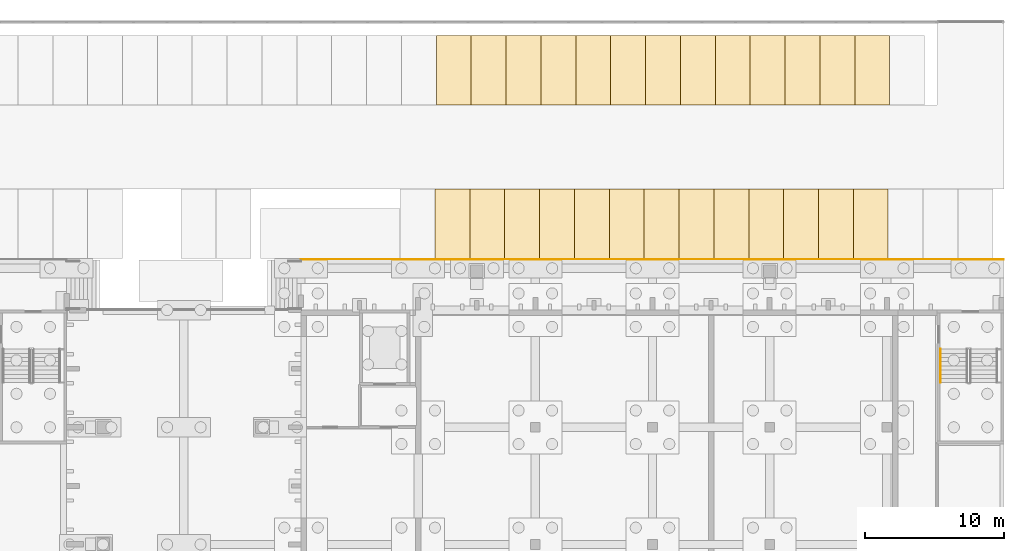
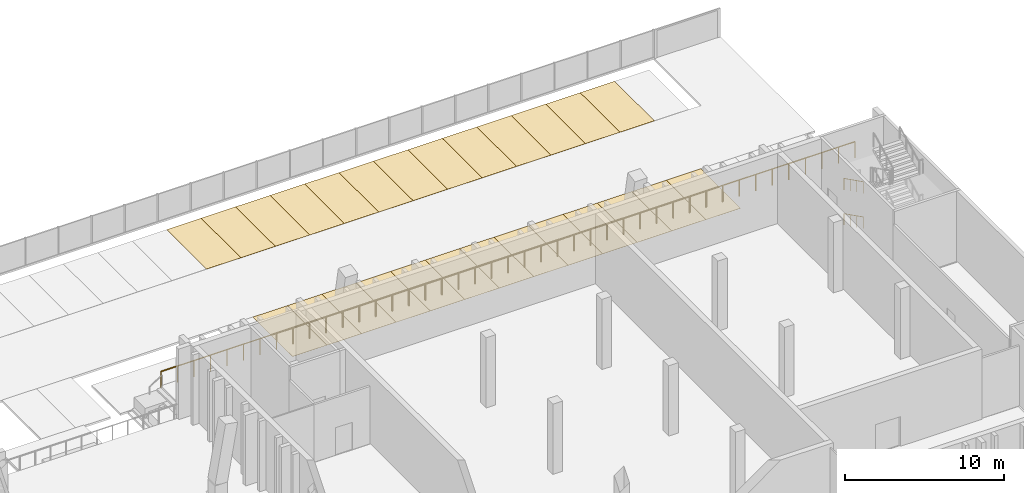
# One storey, part 127 of 129: 26 coverings, 3 railings.
"""IFC4 building model written with IfcOpenShell, lengths in metres."""

from ifc_helpers import new_model, si_unit, direction, frame, origin, origin_2d, place, context, subcontext, project, spatial, polyline, circle, outline, extrude, material, layer, layer_set, type_object, element, save


model = new_model("IFC4")

# Units and contexts
model_context = context("Model", 3, precision=1e-05, world=origin(), true_north=direction((0.0, 1.0)))
body_context = subcontext(model_context, "Body", "Model", "MODEL_VIEW")
ifc_project = project(units=[si_unit("LENGTHUNIT", "METRE"), si_unit("AREAUNIT", "SQUARE_METRE"), si_unit("VOLUMEUNIT", "CUBIC_METRE"), si_unit("PLANEANGLEUNIT", "RADIAN"), si_unit("MASSUNIT", "GRAM", prefix="KILO")], contexts=[model_context])

# Site, building, storey
site_placement = place(None, origin())
site = spatial("IfcSite", under=ifc_project, at=site_placement, CompositionType="ELEMENT")
building_placement = place(site_placement, origin())
building = spatial("IfcBuilding", under=site, at=building_placement, Name="Kiln Court Media Centre", CompositionType="ELEMENT")
storey_placement = place(building_placement, origin())
storey = spatial("IfcBuildingStorey", under=building, at=storey_placement, Name="L00", CompositionType="ELEMENT", Elevation=0.0)

# Railings
ifc_material_1 = material(Name="Steel S275", Category="steel")
railing_type_1 = type_object("IfcRailingType", Name="Steel S275 stair handrail 900", PredefinedType="HANDRAIL", material=ifc_material_1)
railing_1_placement = place(storey_placement, frame((163.449951171875, 64.39990234375, 0.14990234375)))
element("IfcRailing", 1, at=railing_1_placement, inside=storey, type_object=railing_type_1, Name="ST-15 stair handrail", PredefinedType="HANDRAIL", context=body_context, shape_type="SweptSolid", body=[
    extrude(circle(Radius=0.02392578125, at=origin_2d()), frame((0.0, 0.0, 0.8759765625), z_axis=(0.0, -0.894390793703, 0.44728638269), x_axis=(1.0, 0.0, 0.0)), (0.0, 0.0, 1.0), 2.683349609375),
    extrude(circle(Radius=0.02099609375, at=origin_2d()), origin(), (0.0, 0.0, 1.0), 0.851806640625),
    extrude(circle(Radius=0.02099609375, at=origin_2d()), frame((0.0, -0.800048828125, 0.400146484375)), (0.0, 0.0, 1.0), 0.851806640625),
    extrude(circle(Radius=0.02099609375, at=origin_2d()), frame((0.0, -1.599853515625, 0.800048828125)), (0.0, 0.0, 1.0), 0.851806640625),
    extrude(circle(Radius=0.02099609375, at=origin_2d()), frame((0.0, -2.39990234375, 1.2001953125)), (0.0, 0.0, 1.0), 0.851806640625),
])
railing_2_placement = place(storey_placement, frame((163.449951171875, 64.39990234375, 2.85009765625)))
element("IfcRailing", 2, at=railing_2_placement, inside=storey, type_object=railing_type_1, Name="ST-15 stair handrail", PredefinedType="HANDRAIL", context=body_context, shape_type="SweptSolid", body=[
    extrude(circle(Radius=0.02392578125, at=origin_2d()), frame((0.0, 0.0, 0.8759765625), z_axis=(0.0, -0.894427191, 0.4472135955), x_axis=(1.0, 0.0, 0.0)), (0.0, 0.0, 1.0), 2.68310546875),
    extrude(circle(Radius=0.02099609375, at=origin_2d()), origin(), (0.0, 0.0, 1.0), 0.851806640625),
    extrude(circle(Radius=0.02099609375, at=origin_2d()), frame((0.0, -0.800048828125, 0.39990234375)), (0.0, 0.0, 1.0), 0.851806640625),
    extrude(circle(Radius=0.02099609375, at=origin_2d()), frame((0.0, -1.599853515625, 0.800048828125)), (0.0, 0.0, 1.0), 0.851806640625),
    extrude(circle(Radius=0.02099609375, at=origin_2d()), frame((0.0, -2.39990234375, 1.199951171875)), (0.0, 0.0, 1.0), 0.851806640625),
])
ifc_material_2 = material(Name="Steel ASTM A572 Gr 50", Category="steel")
railing_type_2 = type_object("IfcRailingType", Name="Steel guard rail 1100", PredefinedType="GUARDRAIL", material=ifc_material_2)
railing_3_placement = place(storey_placement, frame((117.60009765625, 70.821044921875, -0.14990234375)))
element("IfcRailing", 3, at=railing_3_placement, inside=storey, type_object=railing_type_2, Name="Deck edge guard 7", PredefinedType="GUARDRAIL", context=body_context, shape_type="SweptSolid", body=[
    extrude(circle(Radius=0.02392578125, at=origin_2d()), frame((0.0, 0.0, 1.22607421875), z_axis=(1.0, 0.0, 0.0), x_axis=(0.0, 1.0, 0.0)), (0.0, 0.0, 1.0), 50.349853515625),
    extrude(circle(Radius=0.02099609375, at=origin_2d()), origin(), (0.0, 0.0, 1.0), 1.201904296875),
    extrude(circle(Radius=0.02099609375, at=origin_2d()), frame((1.19873046875, 0.0, 0.0)), (0.0, 0.0, 1.0), 1.201904296875),
    extrude(circle(Radius=0.02099609375, at=origin_2d()), frame((2.397705078125, 0.0, 0.0)), (0.0, 0.0, 1.0), 1.201904296875),
    extrude(circle(Radius=0.02099609375, at=origin_2d()), frame((3.596435546875, 0.0, 0.0)), (0.0, 0.0, 1.0), 1.201904296875),
    extrude(circle(Radius=0.02099609375, at=origin_2d()), frame((4.795166015625, 0.0, 0.0)), (0.0, 0.0, 1.0), 1.201904296875),
    extrude(circle(Radius=0.02099609375, at=origin_2d()), frame((5.994140625, 0.0, 0.0)), (0.0, 0.0, 1.0), 1.201904296875),
    extrude(circle(Radius=0.02099609375, at=origin_2d()), frame((7.19287109375, 0.0, 0.0)), (0.0, 0.0, 1.0), 1.201904296875),
    extrude(circle(Radius=0.02099609375, at=origin_2d()), frame((8.3916015625, 0.0, 0.0)), (0.0, 0.0, 1.0), 1.201904296875),
    extrude(circle(Radius=0.02099609375, at=origin_2d()), frame((9.59033203125, 0.0, 0.0)), (0.0, 0.0, 1.0), 1.201904296875),
    extrude(circle(Radius=0.02099609375, at=origin_2d()), frame((10.789306640625, 0.0, 0.0)), (0.0, 0.0, 1.0), 1.201904296875),
    extrude(circle(Radius=0.02099609375, at=origin_2d()), frame((11.988037109375, 0.0, 0.0)), (0.0, 0.0, 1.0), 1.201904296875),
    extrude(circle(Radius=0.02099609375, at=origin_2d()), frame((13.186767578125, 0.0, 0.0)), (0.0, 0.0, 1.0), 1.201904296875),
    extrude(circle(Radius=0.02099609375, at=origin_2d()), frame((14.3857421875, 0.0, 0.0)), (0.0, 0.0, 1.0), 1.201904296875),
    extrude(circle(Radius=0.02099609375, at=origin_2d()), frame((15.58447265625, 0.0, 0.0)), (0.0, 0.0, 1.0), 1.201904296875),
    extrude(circle(Radius=0.02099609375, at=origin_2d()), frame((16.783203125, 0.0, 0.0)), (0.0, 0.0, 1.0), 1.201904296875),
    extrude(circle(Radius=0.02099609375, at=origin_2d()), frame((17.982177734375, 0.0, 0.0)), (0.0, 0.0, 1.0), 1.201904296875),
    extrude(circle(Radius=0.02099609375, at=origin_2d()), frame((19.180908203125, 0.0, 0.0)), (0.0, 0.0, 1.0), 1.201904296875),
    extrude(circle(Radius=0.02099609375, at=origin_2d()), frame((20.379638671875, 0.0, 0.0)), (0.0, 0.0, 1.0), 1.201904296875),
    extrude(circle(Radius=0.02099609375, at=origin_2d()), frame((21.57861328125, 0.0, 0.0)), (0.0, 0.0, 1.0), 1.201904296875),
    extrude(circle(Radius=0.02099609375, at=origin_2d()), frame((22.77734375, 0.0, 0.0)), (0.0, 0.0, 1.0), 1.201904296875),
    extrude(circle(Radius=0.02099609375, at=origin_2d()), frame((23.97607421875, 0.0, 0.0)), (0.0, 0.0, 1.0), 1.201904296875),
    extrude(circle(Radius=0.02099609375, at=origin_2d()), frame((25.1748046875, 0.0, 0.0)), (0.0, 0.0, 1.0), 1.201904296875),
    extrude(circle(Radius=0.02099609375, at=origin_2d()), frame((26.373779296875, 0.0, 0.0)), (0.0, 0.0, 1.0), 1.201904296875),
    extrude(circle(Radius=0.02099609375, at=origin_2d()), frame((27.572509765625, 0.0, 0.0)), (0.0, 0.0, 1.0), 1.201904296875),
    extrude(circle(Radius=0.02099609375, at=origin_2d()), frame((28.771240234375, 0.0, 0.0)), (0.0, 0.0, 1.0), 1.201904296875),
    extrude(circle(Radius=0.02099609375, at=origin_2d()), frame((29.97021484375, 0.0, 0.0)), (0.0, 0.0, 1.0), 1.201904296875),
    extrude(circle(Radius=0.02099609375, at=origin_2d()), frame((31.1689453125, 0.0, 0.0)), (0.0, 0.0, 1.0), 1.201904296875),
    extrude(circle(Radius=0.02099609375, at=origin_2d()), frame((32.36767578125, 0.0, 0.0)), (0.0, 0.0, 1.0), 1.201904296875),
    extrude(circle(Radius=0.02099609375, at=origin_2d()), frame((33.566650390625, 0.0, 0.0)), (0.0, 0.0, 1.0), 1.201904296875),
    extrude(circle(Radius=0.02099609375, at=origin_2d()), frame((34.765380859375, 0.0, 0.0)), (0.0, 0.0, 1.0), 1.201904296875),
    extrude(circle(Radius=0.02099609375, at=origin_2d()), frame((35.964111328125, 0.0, 0.0)), (0.0, 0.0, 1.0), 1.201904296875),
    extrude(circle(Radius=0.02099609375, at=origin_2d()), frame((37.1630859375, 0.0, 0.0)), (0.0, 0.0, 1.0), 1.201904296875),
    extrude(circle(Radius=0.02099609375, at=origin_2d()), frame((38.36181640625, 0.0, 0.0)), (0.0, 0.0, 1.0), 1.201904296875),
    extrude(circle(Radius=0.02099609375, at=origin_2d()), frame((39.560546875, 0.0, 0.0)), (0.0, 0.0, 1.0), 1.201904296875),
    extrude(circle(Radius=0.02099609375, at=origin_2d()), frame((40.759521484375, 0.0, 0.0)), (0.0, 0.0, 1.0), 1.201904296875),
    extrude(circle(Radius=0.02099609375, at=origin_2d()), frame((41.958251953125, 0.0, 0.0)), (0.0, 0.0, 1.0), 1.201904296875),
    extrude(circle(Radius=0.02099609375, at=origin_2d()), frame((43.156982421875, 0.0, 0.0)), (0.0, 0.0, 1.0), 1.201904296875),
    extrude(circle(Radius=0.02099609375, at=origin_2d()), frame((44.355712890625, 0.0, 0.0)), (0.0, 0.0, 1.0), 1.201904296875),
    extrude(circle(Radius=0.02099609375, at=origin_2d()), frame((45.5546875, 0.0, 0.0)), (0.0, 0.0, 1.0), 1.201904296875),
    extrude(circle(Radius=0.02099609375, at=origin_2d()), frame((46.75341796875, 0.0, 0.0)), (0.0, 0.0, 1.0), 1.201904296875),
    extrude(circle(Radius=0.02099609375, at=origin_2d()), frame((47.9521484375, 0.0, 0.0)), (0.0, 0.0, 1.0), 1.201904296875),
    extrude(circle(Radius=0.02099609375, at=origin_2d()), frame((49.151123046875, 0.0, 0.0)), (0.0, 0.0, 1.0), 1.201904296875),
    extrude(circle(Radius=0.02099609375, at=origin_2d()), frame((50.349853515625, 0.0, 0.0)), (0.0, 0.0, 1.0), 1.201904296875),
])

# Coverings
ifc_material_3 = material(Name="Thermoplastic road marking", Category="coating")
ifc_layer = layer(ifc_material_3, 0.010009765625)
ifc_layer_set = layer_set([ifc_layer], Name="Thermoplastic standard car bay marking 2500x5000")
covering_type = type_object("IfcCoveringType", Name="Thermoplastic standard car bay marking 2500x5000", PredefinedType="FLOORING", material=ifc_layer_set)
covering_1_placement = place(storey_placement, frame((0.0, 0.0, -1.199951171875)))
element("IfcCovering", 4, at=covering_1_placement, inside=storey, type_object=covering_type, Name="Car bay P050", PredefinedType="FLOORING", context=body_context, shape_type="SweptSolid", body=[
    extrude(outline(polyline([(127.300048828125, 81.89990234375), (129.800048828125, 81.89990234375), (129.800048828125, 86.89990234375), (127.300048828125, 86.89990234375), (127.300048828125, 81.89990234375)])), origin(), (0.0, 0.0, 1.0), 0.010009765625),
])
covering_2_placement = place(storey_placement, frame((0.0, 0.0, -1.199951171875)))
element("IfcCovering", 5, at=covering_2_placement, inside=storey, type_object=covering_type, Name="Car bay P051", PredefinedType="FLOORING", context=body_context, shape_type="SweptSolid", body=[
    extrude(outline(polyline([(129.800048828125, 81.89990234375), (132.300048828125, 81.89990234375), (132.300048828125, 86.89990234375), (129.800048828125, 86.89990234375), (129.800048828125, 81.89990234375)])), origin(), (0.0, 0.0, 1.0), 0.010009765625),
])
covering_3_placement = place(storey_placement, frame((0.0, 0.0, -1.199951171875)))
element("IfcCovering", 6, at=covering_3_placement, inside=storey, type_object=covering_type, Name="Car bay P052", PredefinedType="FLOORING", context=body_context, shape_type="SweptSolid", body=[
    extrude(outline(polyline([(132.300048828125, 81.89990234375), (134.800048828125, 81.89990234375), (134.800048828125, 86.89990234375), (132.300048828125, 86.89990234375), (132.300048828125, 81.89990234375)])), origin(), (0.0, 0.0, 1.0), 0.010009765625),
])
covering_4_placement = place(storey_placement, frame((0.0, 0.0, -1.199951171875)))
element("IfcCovering", 7, at=covering_4_placement, inside=storey, type_object=covering_type, Name="Car bay P053", PredefinedType="FLOORING", context=body_context, shape_type="SweptSolid", body=[
    extrude(outline(polyline([(134.800048828125, 81.89990234375), (137.300048828125, 81.89990234375), (137.300048828125, 86.89990234375), (134.800048828125, 86.89990234375), (134.800048828125, 81.89990234375)])), origin(), (0.0, 0.0, 1.0), 0.010009765625),
])
covering_5_placement = place(storey_placement, frame((0.0, 0.0, -1.199951171875)))
element("IfcCovering", 8, at=covering_5_placement, inside=storey, type_object=covering_type, Name="Car bay P054", PredefinedType="FLOORING", context=body_context, shape_type="SweptSolid", body=[
    extrude(outline(polyline([(137.300048828125, 81.89990234375), (139.800048828125, 81.89990234375), (139.800048828125, 86.89990234375), (137.300048828125, 86.89990234375), (137.300048828125, 81.89990234375)])), origin(), (0.0, 0.0, 1.0), 0.010009765625),
])
covering_6_placement = place(storey_placement, frame((0.0, 0.0, -1.199951171875)))
element("IfcCovering", 9, at=covering_6_placement, inside=storey, type_object=covering_type, Name="Car bay P055", PredefinedType="FLOORING", context=body_context, shape_type="SweptSolid", body=[
    extrude(outline(polyline([(139.800048828125, 81.89990234375), (142.300048828125, 81.89990234375), (142.300048828125, 86.89990234375), (139.800048828125, 86.89990234375), (139.800048828125, 81.89990234375)])), origin(), (0.0, 0.0, 1.0), 0.010009765625),
])
covering_7_placement = place(storey_placement, frame((0.0, 0.0, -1.199951171875)))
element("IfcCovering", 10, at=covering_7_placement, inside=storey, type_object=covering_type, Name="Car bay P056", PredefinedType="FLOORING", context=body_context, shape_type="SweptSolid", body=[
    extrude(outline(polyline([(142.300048828125, 81.89990234375), (144.800048828125, 81.89990234375), (144.800048828125, 86.89990234375), (142.300048828125, 86.89990234375), (142.300048828125, 81.89990234375)])), origin(), (0.0, 0.0, 1.0), 0.010009765625),
])
covering_8_placement = place(storey_placement, frame((0.0, 0.0, -1.199951171875)))
element("IfcCovering", 11, at=covering_8_placement, inside=storey, type_object=covering_type, Name="Car bay P057", PredefinedType="FLOORING", context=body_context, shape_type="SweptSolid", body=[
    extrude(outline(polyline([(144.800048828125, 81.89990234375), (147.300048828125, 81.89990234375), (147.300048828125, 86.89990234375), (144.800048828125, 86.89990234375), (144.800048828125, 81.89990234375)])), origin(), (0.0, 0.0, 1.0), 0.010009765625),
])
covering_9_placement = place(storey_placement, frame((0.0, 0.0, -1.199951171875)))
element("IfcCovering", 12, at=covering_9_placement, inside=storey, type_object=covering_type, Name="Car bay P058", PredefinedType="FLOORING", context=body_context, shape_type="SweptSolid", body=[
    extrude(outline(polyline([(147.300048828125, 81.89990234375), (149.800048828125, 81.89990234375), (149.800048828125, 86.89990234375), (147.300048828125, 86.89990234375), (147.300048828125, 81.89990234375)])), origin(), (0.0, 0.0, 1.0), 0.010009765625),
])
covering_10_placement = place(storey_placement, frame((0.0, 0.0, -1.199951171875)))
element("IfcCovering", 13, at=covering_10_placement, inside=storey, type_object=covering_type, Name="Car bay P059", PredefinedType="FLOORING", context=body_context, shape_type="SweptSolid", body=[
    extrude(outline(polyline([(149.800048828125, 81.89990234375), (152.300048828125, 81.89990234375), (152.300048828125, 86.89990234375), (149.800048828125, 86.89990234375), (149.800048828125, 81.89990234375)])), origin(), (0.0, 0.0, 1.0), 0.010009765625),
])
covering_11_placement = place(storey_placement, frame((0.0, 0.0, -1.199951171875)))
element("IfcCovering", 14, at=covering_11_placement, inside=storey, type_object=covering_type, Name="Car bay P060", PredefinedType="FLOORING", context=body_context, shape_type="SweptSolid", body=[
    extrude(outline(polyline([(152.300048828125, 81.89990234375), (154.800048828125, 81.89990234375), (154.800048828125, 86.89990234375), (152.300048828125, 86.89990234375), (152.300048828125, 81.89990234375)])), origin(), (0.0, 0.0, 1.0), 0.010009765625),
])
covering_12_placement = place(storey_placement, frame((0.0, 0.0, -1.199951171875)))
element("IfcCovering", 15, at=covering_12_placement, inside=storey, type_object=covering_type, Name="Car bay P061", PredefinedType="FLOORING", context=body_context, shape_type="SweptSolid", body=[
    extrude(outline(polyline([(154.800048828125, 81.89990234375), (157.300048828125, 81.89990234375), (157.300048828125, 86.89990234375), (154.800048828125, 86.89990234375), (154.800048828125, 81.89990234375)])), origin(), (0.0, 0.0, 1.0), 0.010009765625),
])
covering_13_placement = place(storey_placement, frame((0.0, 0.0, -1.199951171875)))
element("IfcCovering", 16, at=covering_13_placement, inside=storey, type_object=covering_type, Name="Car bay P062", PredefinedType="FLOORING", context=body_context, shape_type="SweptSolid", body=[
    extrude(outline(polyline([(157.300048828125, 81.89990234375), (159.800048828125, 81.89990234375), (159.800048828125, 86.89990234375), (157.300048828125, 86.89990234375), (157.300048828125, 81.89990234375)])), origin(), (0.0, 0.0, 1.0), 0.010009765625),
])
covering_14_placement = place(storey_placement, frame((0.0, 0.0, -1.199951171875)))
element("IfcCovering", 17, at=covering_14_placement, inside=storey, type_object=covering_type, Name="Car bay P083", PredefinedType="FLOORING", context=body_context, shape_type="SweptSolid", body=[
    extrude(outline(polyline([(127.199951171875, 70.89990234375), (129.699951171875, 70.89990234375), (129.699951171875, 75.89990234375), (127.199951171875, 75.89990234375), (127.199951171875, 70.89990234375)])), origin(), (0.0, 0.0, 1.0), 0.010009765625),
])
covering_15_placement = place(storey_placement, frame((0.0, 0.0, -1.199951171875)))
element("IfcCovering", 18, at=covering_15_placement, inside=storey, type_object=covering_type, Name="Car bay P084", PredefinedType="FLOORING", context=body_context, shape_type="SweptSolid", body=[
    extrude(outline(polyline([(129.699951171875, 70.89990234375), (132.199951171875, 70.89990234375), (132.199951171875, 75.89990234375), (129.699951171875, 75.89990234375), (129.699951171875, 70.89990234375)])), origin(), (0.0, 0.0, 1.0), 0.010009765625),
])
covering_16_placement = place(storey_placement, frame((0.0, 0.0, -1.199951171875)))
element("IfcCovering", 19, at=covering_16_placement, inside=storey, type_object=covering_type, Name="Car bay P085", PredefinedType="FLOORING", context=body_context, shape_type="SweptSolid", body=[
    extrude(outline(polyline([(132.199951171875, 70.89990234375), (134.699951171875, 70.89990234375), (134.699951171875, 75.89990234375), (132.199951171875, 75.89990234375), (132.199951171875, 70.89990234375)])), origin(), (0.0, 0.0, 1.0), 0.010009765625),
])
covering_17_placement = place(storey_placement, frame((0.0, 0.0, -1.199951171875)))
element("IfcCovering", 20, at=covering_17_placement, inside=storey, type_object=covering_type, Name="Car bay P086", PredefinedType="FLOORING", context=body_context, shape_type="SweptSolid", body=[
    extrude(outline(polyline([(134.699951171875, 70.89990234375), (137.199951171875, 70.89990234375), (137.199951171875, 75.89990234375), (134.699951171875, 75.89990234375), (134.699951171875, 70.89990234375)])), origin(), (0.0, 0.0, 1.0), 0.010009765625),
])
covering_18_placement = place(storey_placement, frame((0.0, 0.0, -1.199951171875)))
element("IfcCovering", 21, at=covering_18_placement, inside=storey, type_object=covering_type, Name="Car bay P087", PredefinedType="FLOORING", context=body_context, shape_type="SweptSolid", body=[
    extrude(outline(polyline([(137.199951171875, 70.89990234375), (139.699951171875, 70.89990234375), (139.699951171875, 75.89990234375), (137.199951171875, 75.89990234375), (137.199951171875, 70.89990234375)])), origin(), (0.0, 0.0, 1.0), 0.010009765625),
])
covering_19_placement = place(storey_placement, frame((0.0, 0.0, -1.199951171875)))
element("IfcCovering", 22, at=covering_19_placement, inside=storey, type_object=covering_type, Name="Car bay P088", PredefinedType="FLOORING", context=body_context, shape_type="SweptSolid", body=[
    extrude(outline(polyline([(139.699951171875, 70.89990234375), (142.199951171875, 70.89990234375), (142.199951171875, 75.89990234375), (139.699951171875, 75.89990234375), (139.699951171875, 70.89990234375)])), origin(), (0.0, 0.0, 1.0), 0.010009765625),
])
covering_20_placement = place(storey_placement, frame((0.0, 0.0, -1.199951171875)))
element("IfcCovering", 23, at=covering_20_placement, inside=storey, type_object=covering_type, Name="Car bay P089", PredefinedType="FLOORING", context=body_context, shape_type="SweptSolid", body=[
    extrude(outline(polyline([(142.199951171875, 70.89990234375), (144.699951171875, 70.89990234375), (144.699951171875, 75.89990234375), (142.199951171875, 75.89990234375), (142.199951171875, 70.89990234375)])), origin(), (0.0, 0.0, 1.0), 0.010009765625),
])
covering_21_placement = place(storey_placement, frame((0.0, 0.0, -1.199951171875)))
element("IfcCovering", 24, at=covering_21_placement, inside=storey, type_object=covering_type, Name="Car bay P090", PredefinedType="FLOORING", context=body_context, shape_type="SweptSolid", body=[
    extrude(outline(polyline([(144.699951171875, 70.89990234375), (147.199951171875, 70.89990234375), (147.199951171875, 75.89990234375), (144.699951171875, 75.89990234375), (144.699951171875, 70.89990234375)])), origin(), (0.0, 0.0, 1.0), 0.010009765625),
])
covering_22_placement = place(storey_placement, frame((0.0, 0.0, -1.199951171875)))
element("IfcCovering", 25, at=covering_22_placement, inside=storey, type_object=covering_type, Name="Car bay P091", PredefinedType="FLOORING", context=body_context, shape_type="SweptSolid", body=[
    extrude(outline(polyline([(147.199951171875, 70.89990234375), (149.699951171875, 70.89990234375), (149.699951171875, 75.89990234375), (147.199951171875, 75.89990234375), (147.199951171875, 70.89990234375)])), origin(), (0.0, 0.0, 1.0), 0.010009765625),
])
covering_23_placement = place(storey_placement, frame((0.0, 0.0, -1.199951171875)))
element("IfcCovering", 26, at=covering_23_placement, inside=storey, type_object=covering_type, Name="Car bay P092", PredefinedType="FLOORING", context=body_context, shape_type="SweptSolid", body=[
    extrude(outline(polyline([(149.699951171875, 70.89990234375), (152.199951171875, 70.89990234375), (152.199951171875, 75.89990234375), (149.699951171875, 75.89990234375), (149.699951171875, 70.89990234375)])), origin(), (0.0, 0.0, 1.0), 0.010009765625),
])
covering_24_placement = place(storey_placement, frame((0.0, 0.0, -1.199951171875)))
element("IfcCovering", 27, at=covering_24_placement, inside=storey, type_object=covering_type, Name="Car bay P093", PredefinedType="FLOORING", context=body_context, shape_type="SweptSolid", body=[
    extrude(outline(polyline([(152.199951171875, 70.89990234375), (154.699951171875, 70.89990234375), (154.699951171875, 75.89990234375), (152.199951171875, 75.89990234375), (152.199951171875, 70.89990234375)])), origin(), (0.0, 0.0, 1.0), 0.010009765625),
])
covering_25_placement = place(storey_placement, frame((0.0, 0.0, -1.199951171875)))
element("IfcCovering", 28, at=covering_25_placement, inside=storey, type_object=covering_type, Name="Car bay P094", PredefinedType="FLOORING", context=body_context, shape_type="SweptSolid", body=[
    extrude(outline(polyline([(154.699951171875, 70.89990234375), (157.199951171875, 70.89990234375), (157.199951171875, 75.89990234375), (154.699951171875, 75.89990234375), (154.699951171875, 70.89990234375)])), origin(), (0.0, 0.0, 1.0), 0.010009765625),
])
covering_26_placement = place(storey_placement, frame((0.0, 0.0, -1.199951171875)))
element("IfcCovering", 29, at=covering_26_placement, inside=storey, type_object=covering_type, Name="Car bay P095", PredefinedType="FLOORING", context=body_context, shape_type="SweptSolid", body=[
    extrude(outline(polyline([(157.199951171875, 70.89990234375), (159.699951171875, 70.89990234375), (159.699951171875, 75.89990234375), (157.199951171875, 75.89990234375), (157.199951171875, 70.89990234375)])), origin(), (0.0, 0.0, 1.0), 0.010009765625),
])

save(model, "model.ifc")
